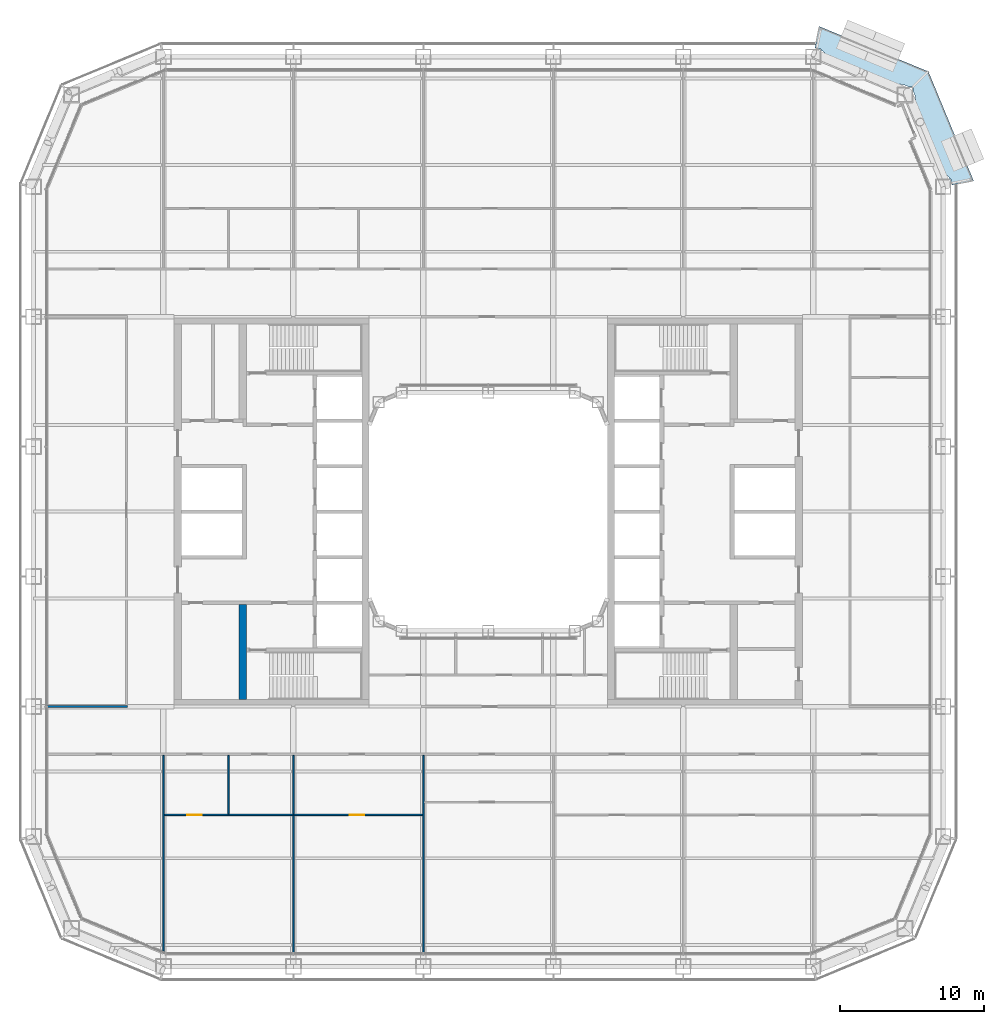
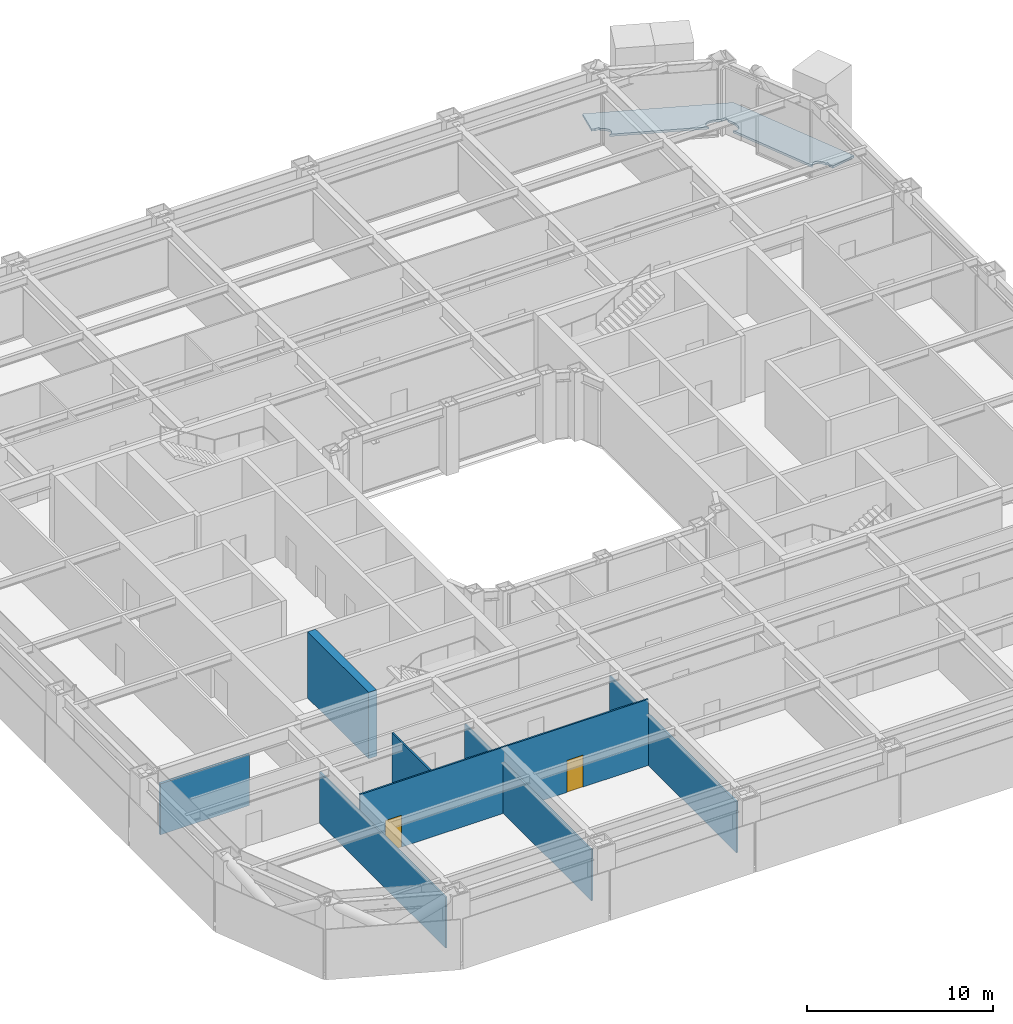
# One storey, part 12 of 30: 8 walls, 2 doors, 1 slab, 2 openings.
"""IFC4 building model written with IfcOpenShell, lengths in metres."""

from ifc_helpers import new_model, si_unit, direction, frame, frame_2d, origin, place, context, subcontext, project, spatial, polyline, rectangle, outline, extrude, material, layer, layer_set, type_object, element, fill, save


model = new_model("IFC4")

# Units and contexts
model_context = context("Model", 3, precision=1e-05, world=origin(), true_north=direction((0.0, 1.0)))
body_context = subcontext(model_context, "Body", "Model", "MODEL_VIEW")
ifc_project = project(units=[si_unit("LENGTHUNIT", "METRE"), si_unit("AREAUNIT", "SQUARE_METRE"), si_unit("VOLUMEUNIT", "CUBIC_METRE"), si_unit("PLANEANGLEUNIT", "RADIAN"), si_unit("MASSUNIT", "GRAM", prefix="KILO")], contexts=[model_context])

# Site, building, storey
site_placement = place(None, origin())
site = spatial("IfcSite", under=ifc_project, at=site_placement, CompositionType="ELEMENT")
building_placement = place(site_placement, origin())
building = spatial("IfcBuilding", under=site, at=building_placement, Name="Siwar Civic Tower", CompositionType="ELEMENT")
storey_placement = place(building_placement, frame((0.0, 0.0, 44.699951171875)))
storey = spatial("IfcBuildingStorey", under=building, at=storey_placement, Name="L09", CompositionType="ELEMENT", Elevation=44.699951171875)

# Slab
ifc_material_1 = material(Name="Concrete C40/50", Category="concrete")
ifc_layer_1 = layer(ifc_material_1, 0.14990234375)
ifc_layer_set_1 = layer_set([ifc_layer_1], Name="Concrete C40/50")
slab_type = type_object("IfcSlabType", Name="ENV-BALCONY DECK 150", PredefinedType="FLOOR", material=ifc_layer_set_1)
slab_placement = place(storey_placement, frame((0.0, 0.0, -0.1494140625)))
element("IfcSlab", 1, at=slab_placement, inside=storey, type_object=slab_type, Name="Tree balcony deck NE", PredefinedType="FLOOR", context=body_context, shape_type="SweptSolid", body=[
    extrude(outline(polyline([(29.4140625, 29.4140625), (29.4140625, 29.133056640625), (29.478759765625, 28.977294921875), (29.49169921875, 28.9462890625), (29.514404296875, 28.891845703125), (29.517578125, 28.884033203125), (29.5185546875, 28.881591796875), (29.5439453125, 28.814208984375), (29.545654296875, 28.80908203125), (29.56591796875, 28.739990234375), (29.567138671875, 28.73486328125), (29.58251953125, 28.66455078125), (29.583984375, 28.6572265625), (29.591064453125, 28.59375), (29.59130859375, 28.59130859375), (29.59716796875, 28.51953125), (29.597412109375, 28.51318359375), (29.59716796875, 28.506591796875), (29.592041015625, 28.45068359375), (29.59130859375, 28.445068359375), (29.58203125, 28.389404296875), (29.5810546875, 28.38427734375), (29.56787109375, 28.32958984375), (29.566162109375, 28.3232421875), (29.56396484375, 28.3173828125), (29.544189453125, 28.271484375), (29.540771484375, 28.264404296875), (29.53662109375, 28.2578125), (29.5107421875, 28.221435546875), (29.507080078125, 28.216552734375), (29.502685546875, 28.2119140625), (29.498291015625, 28.20751953125), (29.467041015625, 28.180908203125), (29.46142578125, 28.1767578125), (29.45556640625, 28.173095703125), (29.449462890625, 28.169921875), (29.413330078125, 28.1533203125), (29.408447265625, 28.151123046875), (29.37109375, 28.13720703125), (29.364501953125, 28.135009765625), (29.35791015625, 28.133544921875), (29.35107421875, 28.132568359375), (29.31005859375, 28.129150390625), (29.3037109375, 28.12890625), (29.297607421875, 28.129150390625), (29.29150390625, 28.1298828125), (29.247314453125, 28.137451171875), (29.23974609375, 28.13916015625), (29.232177734375, 28.1416015625), (29.185791015625, 28.159912109375), (29.179931640625, 28.16259765625), (29.17431640625, 28.16552734375), (29.14599609375, 28.182861328125), (31.20556640625, 23.210693359375), (31.217529296875, 23.260986328125), (31.21923828125, 23.26708984375), (31.2216796875, 23.273193359375), (31.2412109375, 23.31884765625), (31.244873046875, 23.325927734375), (31.2490234375, 23.332763671875), (31.274658203125, 23.369140625), (31.278564453125, 23.3740234375), (31.28271484375, 23.378662109375), (31.287353515625, 23.3828125), (31.318603515625, 23.40966796875), (31.323974609375, 23.413818359375), (31.329833984375, 23.41748046875), (31.3359375, 23.420654296875), (31.3720703125, 23.437255859375), (31.376953125, 23.439453125), (31.414306640625, 23.453369140625), (31.4208984375, 23.45556640625), (31.427734375, 23.45703125), (31.4345703125, 23.4580078125), (31.4755859375, 23.46142578125), (31.481689453125, 23.461669921875), (31.488037109375, 23.461181640625), (31.494140625, 23.46044921875), (31.5380859375, 23.453125), (31.5458984375, 23.451416015625), (31.55322265625, 23.448974609375), (31.599609375, 23.4306640625), (31.60546875, 23.427978515625), (31.611083984375, 23.4248046875), (31.659423828125, 23.3955078125), (31.66357421875, 23.392578125), (31.709716796875, 23.360107421875), (31.717529296875, 23.353515625), (31.764404296875, 23.309814453125), (31.76806640625, 23.30615234375), (31.8115234375, 23.25927734375), (31.815185546875, 23.255126953125), (31.85498046875, 23.205322265625), (31.859619140625, 23.198974609375), (31.898681640625, 23.138671875), (31.9013671875, 23.134033203125), (31.93603515625, 23.07080078125), (31.9384765625, 23.06591796875), (31.94580078125, 23.050048828125), (32.050048828125, 23.050048828125), (32.050048828125, 22.80517578125), (32.0927734375, 22.70263671875), (32.095947265625, 22.69482421875), (32.095947265625, 22.69482421875), (32.098388671875, 22.688232421875), (32.1064453125, 22.662109375), (32.108154296875, 22.6552734375), (32.109375, 22.648193359375), (32.1123046875, 22.621826171875), (33.60009765625, 22.917724609375), (30.47119140625, 30.47119140625), (22.917724609375, 33.60009765625), (22.62109375, 32.1083984375), (22.6259765625, 32.1083984375), (22.6484375, 32.107421875), (22.649658203125, 32.107421875), (22.6513671875, 32.107421875), (22.655029296875, 32.10693359375), (22.656982421875, 32.106689453125), (22.65771484375, 32.1064453125), (22.658447265625, 32.1064453125), (22.66552734375, 32.104736328125), (22.686279296875, 32.098876953125), (22.69482421875, 32.095947265625), (22.70263671875, 32.0927734375), (22.719970703125, 32.085693359375), (22.72607421875, 32.0830078125), (22.749267578125, 32.0732421875), (22.7587890625, 32.0693359375), (22.80517578125, 32.050048828125), (23.050048828125, 32.050048828125), (23.050048828125, 31.94580078125), (23.06591796875, 31.9384765625), (23.07080078125, 31.93603515625), (23.134033203125, 31.9013671875), (23.138671875, 31.898681640625), (23.198974609375, 31.859619140625), (23.205322265625, 31.85498046875), (23.255126953125, 31.815185546875), (23.25927734375, 31.8115234375), (23.30615234375, 31.76806640625), (23.309814453125, 31.764404296875), (23.353515625, 31.717529296875), (23.360107421875, 31.709716796875), (23.392578125, 31.66357421875), (23.3955078125, 31.659423828125), (23.4248046875, 31.611083984375), (23.427978515625, 31.60546875), (23.4306640625, 31.599609375), (23.448974609375, 31.55322265625), (23.451416015625, 31.5458984375), (23.453125, 31.5380859375), (23.46044921875, 31.494140625), (23.461181640625, 31.488037109375), (23.461669921875, 31.481689453125), (23.46142578125, 31.4755859375), (23.4580078125, 31.4345703125), (23.45703125, 31.427734375), (23.45556640625, 31.4208984375), (23.453369140625, 31.414306640625), (23.439453125, 31.376953125), (23.437255859375, 31.3720703125), (23.420654296875, 31.3359375), (23.41748046875, 31.329833984375), (23.413818359375, 31.323974609375), (23.40966796875, 31.318603515625), (23.3828125, 31.287353515625), (23.378662109375, 31.28271484375), (23.3740234375, 31.278564453125), (23.369140625, 31.274658203125), (23.332763671875, 31.2490234375), (23.325927734375, 31.244873046875), (23.31884765625, 31.2412109375), (23.273193359375, 31.2216796875), (23.26708984375, 31.21923828125), (23.260986328125, 31.217529296875), (23.210693359375, 31.20556640625), (28.182861328125, 29.14599609375), (28.16552734375, 29.17431640625), (28.16259765625, 29.179931640625), (28.159912109375, 29.185791015625), (28.1416015625, 29.232177734375), (28.13916015625, 29.23974609375), (28.137451171875, 29.247314453125), (28.1298828125, 29.29150390625), (28.129150390625, 29.297607421875), (28.12890625, 29.3037109375), (28.129150390625, 29.31005859375), (28.132568359375, 29.35107421875), (28.133544921875, 29.35791015625), (28.135009765625, 29.364501953125), (28.13720703125, 29.37109375), (28.151123046875, 29.408447265625), (28.1533203125, 29.413330078125), (28.169921875, 29.449462890625), (28.173095703125, 29.45556640625), (28.1767578125, 29.46142578125), (28.180908203125, 29.467041015625), (28.20751953125, 29.498291015625), (28.2119140625, 29.502685546875), (28.216552734375, 29.507080078125), (28.221435546875, 29.5107421875), (28.2578125, 29.53662109375), (28.264404296875, 29.540771484375), (28.271484375, 29.544189453125), (28.3173828125, 29.56396484375), (28.3232421875, 29.566162109375), (28.32958984375, 29.56787109375), (28.38427734375, 29.5810546875), (28.389404296875, 29.58203125), (28.445068359375, 29.59130859375), (28.45068359375, 29.592041015625), (28.506591796875, 29.59716796875), (28.51318359375, 29.597412109375), (28.51953125, 29.59716796875), (28.59130859375, 29.59130859375), (28.59375, 29.591064453125), (28.6572265625, 29.583984375), (28.66455078125, 29.58251953125), (28.73486328125, 29.567138671875), (28.739990234375, 29.56591796875), (28.80908203125, 29.545654296875), (28.814208984375, 29.5439453125), (28.881591796875, 29.5185546875), (28.884033203125, 29.517578125), (28.891845703125, 29.514404296875), (28.9462890625, 29.49169921875), (28.977294921875, 29.478759765625), (29.10546875, 29.425537109375), (29.116943359375, 29.420654296875), (29.133056640625, 29.4140625), (29.4140625, 29.4140625)])), origin(), (0.0, 0.0, 1.0), 0.1494140625),
])

# Walls
ifc_material_2 = material(Name="Concrete C60/75", Category="concrete")
ifc_layer_2 = layer(ifc_material_2, 0.5)
ifc_layer_set_2 = layer_set([ifc_layer_2], Name="Concrete C60/75")
wall_type_1 = type_object("IfcWallType", Name="CORE-WALL-RC500", PredefinedType="SHEAR", material=ifc_layer_set_2)
wall_1_placement = place(storey_placement, frame((-17.0, -13.0, 0.0), z_axis=(0.0, 0.0, 1.0), x_axis=(0.0, 1.0, 0.0)))
element("IfcWall", 2, at=wall_1_placement, inside=storey, type_object=wall_type_1, Name="Core wall W", PredefinedType="SHEAR", context=body_context, shape_type="SweptSolid", body=[
    extrude(rectangle(XDim=6.574951171875, YDim=0.5, at=frame_2d((3.28759765625, 0.0))), origin(), (0.0, 0.0, 1.0), 4.35009765625),
])
ifc_material_3 = material(Name="Gypsum board on steel studs", Category="steel")
ifc_layer_3 = layer(ifc_material_3, 0.14990234375)
ifc_layer_set_3 = layer_set([ifc_layer_3], Name="Gypsum board on steel studs")
wall_type_2 = type_object("IfcWallType", Name="CORRIDOR PARTITION 150 EI 30", PredefinedType="PARTITIONING", material=ifc_layer_set_3)
wall_2_placement = place(storey_placement, frame((-30.510009765625, -13.5, 0.0), z_axis=(0.0, 0.0, 1.0), x_axis=(1.0, 0.0, 0.0)))
element("IfcWall", 3, at=wall_2_placement, inside=storey, type_object=wall_type_2, Name="L09/wall/P05", PredefinedType="PARTITIONING", context=body_context, shape_type="SweptSolid", body=[
    extrude(rectangle(XDim=5.534912109375, YDim=0.14990234375, at=frame_2d((2.767578125, 0.0))), origin(), (0.0, 0.0, 1.0), 3.35009765625),
])

# Wall, openings, doors
ifc_material_4 = material(Name="Gypsum board on steel studs", Category="steel")
ifc_layer_4 = layer(ifc_material_4, 0.10009765625)
ifc_layer_set_4 = layer_set([ifc_layer_4], Name="Gypsum board on steel studs")
wall_type_3 = type_object("IfcWallType", Name="PARTITION 100 GYPSUM", PredefinedType="PARTITIONING", material=ifc_layer_set_4)
wall_3_placement = place(storey_placement, frame((-22.449951171875, -21.0, 0.0), z_axis=(0.0, 0.0, 1.0), x_axis=(1.0, 0.0, 0.0)))
wall_3 = element("IfcWall", 4, at=wall_3_placement, inside=storey, type_object=wall_type_3, Name="L09/wall/P01", PredefinedType="PARTITIONING", context=body_context, shape_type="SweptSolid", body=[
    extrude(rectangle(XDim=17.89990234375, YDim=0.10009765625, at=frame_2d((8.949951171875, 0.0))), origin(), (0.0, 0.0, 1.0), 4.35009765625),
])
opening_1_placement = place(wall_3_placement, frame((1.60009765625, 0.0, 0.0)))
opening_1 = element("IfcOpeningElement", 5, at=opening_1_placement, cuts=wall_3, Name="Opening D2", PredefinedType="OPENING", context=body_context, shape_type="SweptSolid", body=[
    extrude(rectangle(XDim=1.0, YDim=2.10009765625, at=frame_2d((0.5, 1.050048828125))), frame((0.0, 0.06005859375, 0.0), z_axis=(0.0, -1.0, 0.0), x_axis=(1.0, 0.0, 0.0)), (0.0, 0.0, 1.0), 0.1201171875),
])
opening_2_placement = place(wall_3_placement, frame((12.85009765625, 0.0, 0.0)))
opening_2 = element("IfcOpeningElement", 6, at=opening_2_placement, cuts=wall_3, Name="Opening D2", PredefinedType="OPENING", context=body_context, shape_type="SweptSolid", body=[
    extrude(rectangle(XDim=1.0, YDim=2.10009765625, at=frame_2d((0.5, 1.050048828125))), frame((0.0, 0.06005859375, 0.0), z_axis=(0.0, -1.0, 0.0), x_axis=(1.0, 0.0, 0.0)), (0.0, 0.0, 1.0), 0.1201171875),
])
ifc_material_5 = material(Name="Timber, painted", Category="wood")
door_type = type_object("IfcDoorType", Name="DOOR 1000 X 2100", OperationType="SINGLE_SWING_LEFT", PredefinedType="DOOR", material=ifc_material_5)
door_1_placement = place(opening_1_placement, origin())
door_1 = element("IfcDoor", 7, at=door_1_placement, inside=storey, type_object=door_type, Name="L09-D15", OperationType="SINGLE_SWING_LEFT", OverallHeight=2.10009765625, OverallWidth=1.0, PredefinedType="DOOR", context=body_context, shape_type="SweptSolid", body=[
    extrude(rectangle(XDim=1.0, YDim=2.10009765625, at=frame_2d((0.5, 1.050048828125))), frame((0.0, 0.02490234375, 0.0), z_axis=(0.0, -1.0, 0.0), x_axis=(1.0, 0.0, 0.0)), (0.0, 0.0, 1.0), 0.050048828125),
])
fill(opening_1, door_1)
door_2_placement = place(opening_2_placement, origin())
door_2 = element("IfcDoor", 8, at=door_2_placement, inside=storey, type_object=door_type, Name="L09-D17", OperationType="SINGLE_SWING_LEFT", OverallHeight=2.10009765625, OverallWidth=1.0, PredefinedType="DOOR", context=body_context, shape_type="SweptSolid", body=[
    extrude(rectangle(XDim=1.0, YDim=2.10009765625, at=frame_2d((0.5, 1.050048828125))), frame((0.0, 0.02490234375, 0.0), z_axis=(0.0, -1.0, 0.0), x_axis=(1.0, 0.0, 0.0)), (0.0, 0.0, 1.0), 0.050048828125),
])
fill(opening_2, door_2)

# Walls
wall_4_placement = place(storey_placement, frame((-22.5, -30.427978515625, 0.0), z_axis=(0.0, 0.0, 1.0), x_axis=(0.0, 1.0, 0.0)))
element("IfcWall", 9, at=wall_4_placement, inside=storey, type_object=wall_type_3, Name="L09/wall/P17", PredefinedType="PARTITIONING", context=body_context, shape_type="SweptSolid", body=[
    extrude(rectangle(XDim=13.552978515625, YDim=0.10009765625, at=frame_2d((6.7763671875, 0.0))), origin(), (0.0, 0.0, 1.0), 3.35009765625),
])
wall_5_placement = place(storey_placement, frame((-18.0, -20.949951171875, 0.0), z_axis=(0.0, 0.0, 1.0), x_axis=(0.0, 1.0, 0.0)))
element("IfcWall", 10, at=wall_5_placement, inside=storey, type_object=wall_type_3, Name="L09/wall/P19", PredefinedType="PARTITIONING", context=body_context, shape_type="SweptSolid", body=[
    extrude(rectangle(XDim=4.074951171875, YDim=0.10009765625, at=frame_2d((2.03759765625, 0.0))), origin(), (0.0, 0.0, 1.0), 4.35009765625),
])
wall_6_placement = place(storey_placement, frame((-13.5, -30.510009765625, 0.0), z_axis=(0.0, 0.0, 1.0), x_axis=(0.0, 1.0, 0.0)))
element("IfcWall", 11, at=wall_6_placement, inside=storey, type_object=wall_type_3, Name="L09/wall/P21", PredefinedType="PARTITIONING", context=body_context, shape_type="SweptSolid", body=[
    extrude(rectangle(XDim=9.4599609375, YDim=0.10009765625, at=frame_2d((4.72998046875, 0.0))), origin(), (0.0, 0.0, 1.0), 3.35009765625),
])
wall_7_placement = place(storey_placement, frame((-13.5, -20.949951171875, 0.0), z_axis=(0.0, 0.0, 1.0), x_axis=(0.0, 1.0, 0.0)))
element("IfcWall", 12, at=wall_7_placement, inside=storey, type_object=wall_type_3, Name="L09/wall/P22", PredefinedType="PARTITIONING", context=body_context, shape_type="SweptSolid", body=[
    extrude(rectangle(XDim=4.074951171875, YDim=0.10009765625, at=frame_2d((2.03759765625, 0.0))), origin(), (0.0, 0.0, 1.0), 3.35009765625),
])
wall_8_placement = place(storey_placement, frame((-4.5, -30.510009765625, 0.0), z_axis=(0.0, 0.0, 1.0), x_axis=(0.0, 1.0, 0.0)))
element("IfcWall", 13, at=wall_8_placement, inside=storey, type_object=wall_type_3, Name="L09/wall/P26", PredefinedType="PARTITIONING", context=body_context, shape_type="SweptSolid", body=[
    extrude(rectangle(XDim=13.635009765625, YDim=0.10009765625, at=frame_2d((6.8173828125, 0.0))), origin(), (0.0, 0.0, 1.0), 3.35009765625),
])

save(model, "model.ifc")
